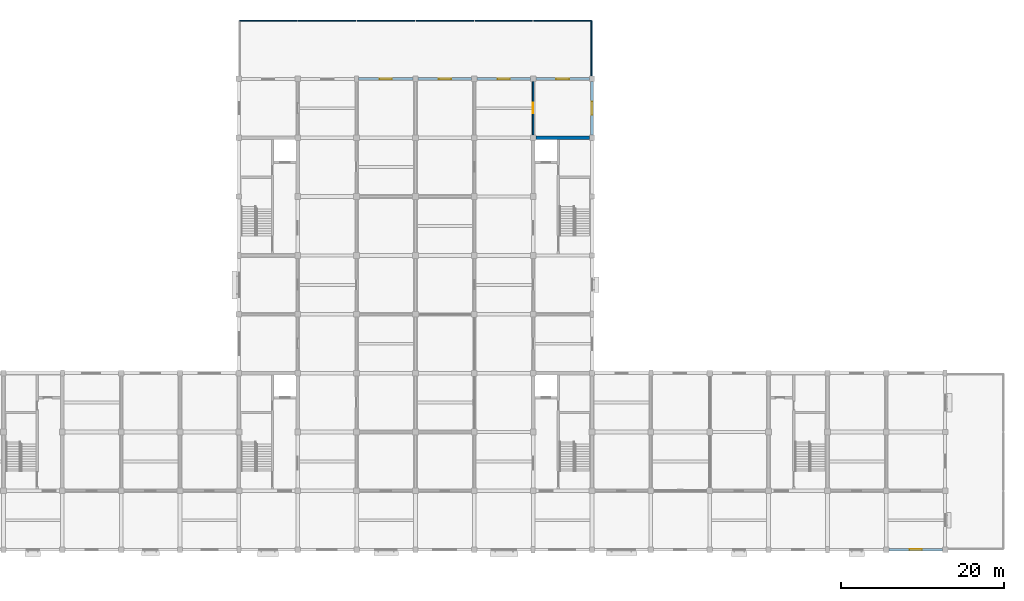
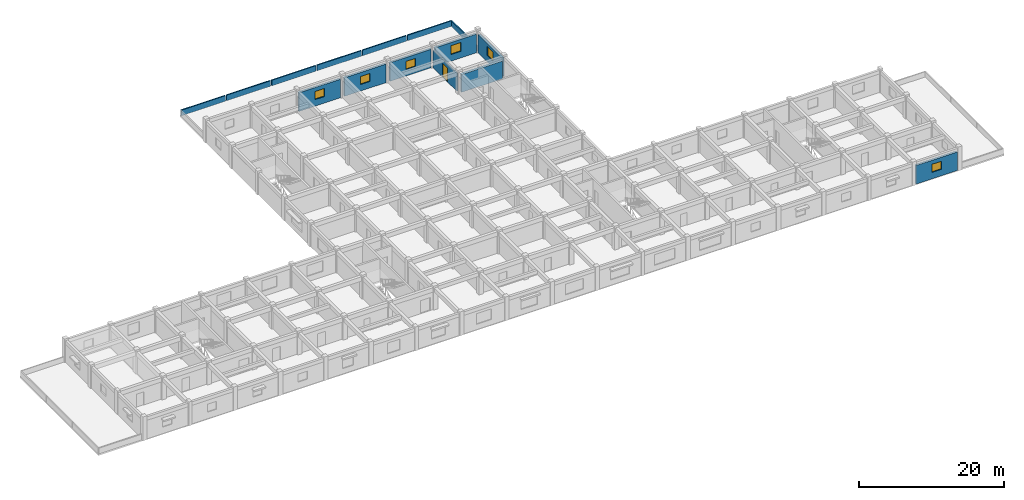
# One storey, part 9 of 16: 15 walls, 6 windows, 1 door, 7 openings.
"""IFC4 building model written with IfcOpenShell, lengths in metres."""

from ifc_helpers import new_model, si_unit, direction, frame, frame_2d, origin, place, context, subcontext, project, spatial, rectangle, extrude, material, layer, layer_set, type_object, element, fill, save


model = new_model("IFC4")

# Units and contexts
model_context = context("Model", 3, precision=1e-05, world=origin(), true_north=direction((0.0, 1.0)))
body_context = subcontext(model_context, "Body", "Model", "MODEL_VIEW")
ifc_project = project(units=[si_unit("LENGTHUNIT", "METRE"), si_unit("AREAUNIT", "SQUARE_METRE"), si_unit("VOLUMEUNIT", "CUBIC_METRE"), si_unit("PLANEANGLEUNIT", "RADIAN"), si_unit("MASSUNIT", "GRAM", prefix="KILO")], contexts=[model_context])

# Site, building, storey
site_placement = place(None, origin())
site = spatial("IfcSite", under=ifc_project, at=site_placement, CompositionType="ELEMENT")
building_placement = place(site_placement, origin())
building = spatial("IfcBuilding", under=site, at=building_placement, Name="Cendaluz Park School", CompositionType="ELEMENT")
storey_placement = place(building_placement, frame((0.0, 0.0, 22.60009765625)))
storey = spatial("IfcBuildingStorey", under=building, at=storey_placement, Name="L05", CompositionType="ELEMENT", Elevation=22.60009765625)

# Wall, opening, door
ifc_material_1 = material(Name="Gypsum Plasterboard on Cold-Formed Stud", Category="gypsum")
ifc_layer_1 = layer(ifc_material_1, 0.199951171875)
ifc_layer_set_1 = layer_set([ifc_layer_1], Name="Gypsum Plasterboard on Cold-Formed Stud")
wall_type_1 = type_object("IfcWallType", Name="W-AC20", PredefinedType="PARTITIONING", material=ifc_layer_set_1)
wall_1_placement = place(storey_placement, frame((100.800048828125, 57.949951171875, 0.0), z_axis=(0.0, 0.0, 1.0), x_axis=(0.0, 1.0, 0.0)))
wall_1 = element("IfcWall", 1, at=wall_1_placement, inside=storey, type_object=wall_type_1, Name="WL-FF-BV6", PredefinedType="PARTITIONING", context=body_context, shape_type="SweptSolid", body=[
    extrude(rectangle(XDim=6.525146484375, YDim=0.199951171875, at=frame_2d((3.2626953125, 0.0))), origin(), (0.0, 0.0, 1.0), 2.97998046875),
])
opening_1_placement = place(wall_1_placement, frame((2.62255859375, 0.0, 0.0)))
opening_1 = element("IfcOpeningElement", 2, at=opening_1_placement, cuts=wall_1, Name="Opening DCL-10", PredefinedType="OPENING", context=body_context, shape_type="SweptSolid", body=[
    extrude(rectangle(XDim=1.280029296875, YDim=2.280029296875, at=frame_2d((0.64013671875, 1.14013671875))), frame((0.0, 0.112060546875, 0.0), z_axis=(0.0, -1.0, 0.0), x_axis=(1.0, 0.0, 0.0)), (0.0, 0.0, 1.0), 0.223876953125),
])
ifc_material_2 = material(Name="Solid Core Hardwood", Category="wood")
door_type = type_object("IfcDoorType", Name="DCL-10", OperationType="NOTDEFINED", PredefinedType="DOOR", material=ifc_material_2)
door_placement = place(opening_1_placement, frame((1.280029296875, 0.0, 0.0), z_axis=(0.0, 0.0, 1.0), x_axis=(-1.0, 0.0, 0.0)))
door = element("IfcDoor", 3, at=door_placement, inside=storey, type_object=door_type, Name="D-L05-050", OperationType="SINGLE_SWING_RIGHT", OverallHeight=2.280029296875, OverallWidth=1.280029296875, PredefinedType="DOOR", context=body_context, shape_type="SweptSolid", body=[
    extrude(rectangle(XDim=1.280029296875, YDim=2.280029296875, at=frame_2d((0.64013671875, 1.14013671875))), frame((0.0, 0.02490234375, 0.0), z_axis=(0.0, -1.0, 0.0), x_axis=(1.0, 0.0, 0.0)), (0.0, 0.0, 1.0), 0.050048828125),
])
fill(opening_1, door)

# Wall, opening, window
ifc_material_3 = material(Name="Concrete C40/50 precast", Category="concrete")
ifc_layer_2 = layer(ifc_material_3, 0.340087890625)
ifc_layer_set_2 = layer_set([ifc_layer_2], Name="Concrete C40/50 precast")
wall_type_2 = type_object("IfcWallType", Name="W-EX34", PredefinedType="SOLIDWALL", material=ifc_layer_set_2)
wall_2_placement = place(storey_placement, frame((79.449951171875, 64.800048828125, 0.0), z_axis=(0.0, 0.0, 1.0), x_axis=(1.0, 0.0, 0.0)))
wall_2 = element("IfcWall", 4, at=wall_2_placement, inside=storey, type_object=wall_type_2, Name="WL-FF-AC2", PredefinedType="SOLIDWALL", context=body_context, shape_type="SweptSolid", body=[
    extrude(rectangle(XDim=6.625, YDim=0.340087890625, at=frame_2d((3.3125, 0.0))), origin(), (0.0, 0.0, 1.0), 3.119873046875),
])
opening_2_placement = place(wall_2_placement, frame((2.5625, 0.0, 1.10009765625)))
opening_2 = element("IfcOpeningElement", 5, at=opening_2_placement, cuts=wall_2, Name="Opening WN-20", PredefinedType="OPENING", context=body_context, shape_type="SweptSolid", body=[
    extrude(rectangle(XDim=1.5, YDim=1.35009765625, at=frame_2d((0.75, 0.675048828125))), frame((0.0, 0.18212890625, 0.0), z_axis=(0.0, -1.0, 0.0), x_axis=(1.0, 0.0, 0.0)), (0.0, 0.0, 1.0), 0.364013671875),
])
ifc_material_4 = material(Name="Tempered Low-E Double Glazing", Category="glass")
window_type_1 = type_object("IfcWindowType", Name="WN-20", PartitioningType="SINGLE_PANEL", PredefinedType="WINDOW", material=ifc_material_4)
window_1_placement = place(opening_2_placement, origin())
window_1 = element("IfcWindow", 6, at=window_1_placement, inside=storey, type_object=window_type_1, Name="WN-L05-023", OverallHeight=1.35009765625, OverallWidth=1.5, PartitioningType="SINGLE_PANEL", PredefinedType="WINDOW", context=body_context, shape_type="SweptSolid", body=[
    extrude(rectangle(XDim=1.5, YDim=1.35009765625, at=frame_2d((0.75, 0.675048828125))), frame((0.0, 0.030029296875, 0.0), z_axis=(0.0, -1.0, 0.0), x_axis=(1.0, 0.0, 0.0)), (0.0, 0.0, 1.0), 0.06005859375),
])
fill(opening_2, window_1)

wall_3_placement = place(storey_placement, frame((86.72509765625, 64.800048828125, 0.0), z_axis=(0.0, 0.0, 1.0), x_axis=(1.0, 0.0, 0.0)))
wall_3 = element("IfcWall", 7, at=wall_3_placement, inside=storey, type_object=wall_type_2, Name="WL-FF-AC4", PredefinedType="SOLIDWALL", context=body_context, shape_type="SweptSolid", body=[
    extrude(rectangle(XDim=6.5498046875, YDim=0.340087890625, at=frame_2d((3.27490234375, 0.0))), origin(), (0.0, 0.0, 1.0), 3.119873046875),
])
opening_3_placement = place(wall_3_placement, frame((2.52490234375, 0.0, 1.10009765625)))
opening_3 = element("IfcOpeningElement", 8, at=opening_3_placement, cuts=wall_3, Name="Opening WN-20", PredefinedType="OPENING", context=body_context, shape_type="SweptSolid", body=[
    extrude(rectangle(XDim=1.5, YDim=1.35009765625, at=frame_2d((0.75, 0.675048828125))), frame((0.0, 0.18212890625, 0.0), z_axis=(0.0, -1.0, 0.0), x_axis=(1.0, 0.0, 0.0)), (0.0, 0.0, 1.0), 0.364013671875),
])
window_2_placement = place(opening_3_placement, origin())
window_2 = element("IfcWindow", 9, at=window_2_placement, inside=storey, type_object=window_type_1, Name="WN-L05-025", OverallHeight=1.35009765625, OverallWidth=1.5, PartitioningType="SINGLE_PANEL", PredefinedType="WINDOW", context=body_context, shape_type="SweptSolid", body=[
    extrude(rectangle(XDim=1.5, YDim=1.35009765625, at=frame_2d((0.75, 0.675048828125))), frame((0.0, 0.030029296875, 0.0), z_axis=(0.0, -1.0, 0.0), x_axis=(1.0, 0.0, 0.0)), (0.0, 0.0, 1.0), 0.06005859375),
])
fill(opening_3, window_2)

wall_4_placement = place(storey_placement, frame((93.925048828125, 64.800048828125, 0.0), z_axis=(0.0, 0.0, 1.0), x_axis=(1.0, 0.0, 0.0)))
wall_4 = element("IfcWall", 10, at=wall_4_placement, inside=storey, type_object=wall_type_2, Name="WL-FF-AC6", PredefinedType="SOLIDWALL", context=body_context, shape_type="SweptSolid", body=[
    extrude(rectangle(XDim=6.550048828125, YDim=0.340087890625, at=frame_2d((3.27490234375, 0.0))), origin(), (0.0, 0.0, 1.0), 3.119873046875),
])
opening_4_placement = place(wall_4_placement, frame((2.52490234375, 0.0, 1.10009765625)))
opening_4 = element("IfcOpeningElement", 11, at=opening_4_placement, cuts=wall_4, Name="Opening WN-20", PredefinedType="OPENING", context=body_context, shape_type="SweptSolid", body=[
    extrude(rectangle(XDim=1.5, YDim=1.35009765625, at=frame_2d((0.75, 0.675048828125))), frame((0.0, 0.18212890625, 0.0), z_axis=(0.0, -1.0, 0.0), x_axis=(1.0, 0.0, 0.0)), (0.0, 0.0, 1.0), 0.364013671875),
])
window_3_placement = place(opening_4_placement, origin())
window_3 = element("IfcWindow", 12, at=window_3_placement, inside=storey, type_object=window_type_1, Name="WN-L05-027", OverallHeight=1.35009765625, OverallWidth=1.5, PartitioningType="SINGLE_PANEL", PredefinedType="WINDOW", context=body_context, shape_type="SweptSolid", body=[
    extrude(rectangle(XDim=1.5, YDim=1.35009765625, at=frame_2d((0.75, 0.675048828125))), frame((0.0, 0.030029296875, 0.0), z_axis=(0.0, -1.0, 0.0), x_axis=(1.0, 0.0, 0.0)), (0.0, 0.0, 1.0), 0.06005859375),
])
fill(opening_4, window_3)

wall_5_placement = place(storey_placement, frame((101.125, 64.800048828125, 0.0), z_axis=(0.0, 0.0, 1.0), x_axis=(1.0, 0.0, 0.0)))
wall_5 = element("IfcWall", 13, at=wall_5_placement, inside=storey, type_object=wall_type_2, Name="WL-FF-AD0", PredefinedType="SOLIDWALL", context=body_context, shape_type="SweptSolid", body=[
    extrude(rectangle(XDim=6.550048828125, YDim=0.340087890625, at=frame_2d((3.27490234375, 0.0))), origin(), (0.0, 0.0, 1.0), 3.119873046875),
])
opening_5_placement = place(wall_5_placement, frame((2.47509765625, 0.0, 1.10009765625)))
opening_5 = element("IfcOpeningElement", 14, at=opening_5_placement, cuts=wall_5, Name="Opening WN-16", PredefinedType="OPENING", context=body_context, shape_type="SweptSolid", body=[
    extrude(rectangle(XDim=1.60009765625, YDim=1.5, at=frame_2d((0.800048828125, 0.75))), frame((0.0, 0.18212890625, 0.0), z_axis=(0.0, -1.0, 0.0), x_axis=(1.0, 0.0, 0.0)), (0.0, 0.0, 1.0), 0.364013671875),
])
window_type_2 = type_object("IfcWindowType", Name="WN-16", PartitioningType="SINGLE_PANEL", PredefinedType="WINDOW", material=ifc_material_4)
window_4_placement = place(opening_5_placement, origin())
window_4 = element("IfcWindow", 15, at=window_4_placement, inside=storey, type_object=window_type_2, Name="WN-L05-031", OverallHeight=1.5, OverallWidth=1.60009765625, PartitioningType="SINGLE_PANEL", PredefinedType="WINDOW", context=body_context, shape_type="SweptSolid", body=[
    extrude(rectangle(XDim=1.60009765625, YDim=1.5, at=frame_2d((0.800048828125, 0.75))), frame((0.0, 0.030029296875, 0.0), z_axis=(0.0, -1.0, 0.0), x_axis=(1.0, 0.0, 0.0)), (0.0, 0.0, 1.0), 0.06005859375),
])
fill(opening_5, window_4)

wall_6_placement = place(storey_placement, frame((108.0, 57.925048828125, 0.0), z_axis=(0.0, 0.0, 1.0), x_axis=(0.0, 1.0, 0.0)))
wall_6 = element("IfcWall", 16, at=wall_6_placement, inside=storey, type_object=wall_type_2, Name="WL-FF-AD1", PredefinedType="SOLIDWALL", context=body_context, shape_type="SweptSolid", body=[
    extrude(rectangle(XDim=6.550048828125, YDim=0.340087890625, at=frame_2d((3.27490234375, 0.0))), origin(), (0.0, 0.0, 1.0), 3.119873046875),
])
opening_6_placement = place(wall_6_placement, frame((2.47509765625, 0.0, 1.10009765625)))
opening_6 = element("IfcOpeningElement", 17, at=opening_6_placement, cuts=wall_6, Name="Opening WN-16", PredefinedType="OPENING", context=body_context, shape_type="SweptSolid", body=[
    extrude(rectangle(XDim=1.60009765625, YDim=1.5, at=frame_2d((0.800048828125, 0.75))), frame((0.0, 0.18212890625, 0.0), z_axis=(0.0, -1.0, 0.0), x_axis=(1.0, 0.0, 0.0)), (0.0, 0.0, 1.0), 0.364013671875),
])
window_5_placement = place(opening_6_placement, origin())
window_5 = element("IfcWindow", 18, at=window_5_placement, inside=storey, type_object=window_type_2, Name="WN-L05-032", OverallHeight=1.5, OverallWidth=1.60009765625, PartitioningType="SINGLE_PANEL", PredefinedType="WINDOW", context=body_context, shape_type="SweptSolid", body=[
    extrude(rectangle(XDim=1.60009765625, YDim=1.5, at=frame_2d((0.800048828125, 0.75))), frame((0.0, 0.030029296875, 0.0), z_axis=(0.0, -1.0, 0.0), x_axis=(1.0, 0.0, 0.0)), (0.0, 0.0, 1.0), 0.06005859375),
])
fill(opening_6, window_5)

wall_7_placement = place(storey_placement, frame((144.324951171875, 7.199951171875, 0.0), z_axis=(0.0, 0.0, 1.0), x_axis=(1.0, 0.0, 0.0)))
wall_7 = element("IfcWall", 19, at=wall_7_placement, inside=storey, type_object=wall_type_2, Name="WL-FF-AE1", PredefinedType="SOLIDWALL", context=body_context, shape_type="SweptSolid", body=[
    extrude(rectangle(XDim=6.550048828125, YDim=0.340087890625, at=frame_2d((3.27490234375, 0.0))), origin(), (0.0, 0.0, 1.0), 3.119873046875),
])
opening_7_placement = place(wall_7_placement, frame((2.52490234375, 0.0, 1.10009765625)))
opening_7 = element("IfcOpeningElement", 20, at=opening_7_placement, cuts=wall_7, Name="Opening WN-20", PredefinedType="OPENING", context=body_context, shape_type="SweptSolid", body=[
    extrude(rectangle(XDim=1.5, YDim=1.35009765625, at=frame_2d((0.75, 0.675048828125))), frame((0.0, 0.18212890625, 0.0), z_axis=(0.0, -1.0, 0.0), x_axis=(1.0, 0.0, 0.0)), (0.0, 0.0, 1.0), 0.364013671875),
])
window_6_placement = place(opening_7_placement, origin())
window_6 = element("IfcWindow", 21, at=window_6_placement, inside=storey, type_object=window_type_1, Name="WN-L05-042", OverallHeight=1.35009765625, OverallWidth=1.5, PartitioningType="SINGLE_PANEL", PredefinedType="WINDOW", context=body_context, shape_type="SweptSolid", body=[
    extrude(rectangle(XDim=1.5, YDim=1.35009765625, at=frame_2d((0.75, 0.675048828125))), frame((0.0, 0.030029296875, 0.0), z_axis=(0.0, -1.0, 0.0), x_axis=(1.0, 0.0, 0.0)), (0.0, 0.0, 1.0), 0.06005859375),
])
fill(opening_7, window_6)

# Walls
ifc_layer_3 = layer(ifc_material_3, 0.179931640625)
ifc_layer_set_3 = layer_set([ifc_layer_3], Name="Concrete C40/50 precast")
wall_type_3 = type_object("IfcWallType", Name="W-PR18", PredefinedType="PARAPET", material=ifc_layer_set_3)
for number, where, z_axis, x_axis, name in (
    (22, (64.889892578125, 71.909912109375, 0.0), (0.0, 0.0, 1.0), (1.0, 0.0, 0.0), "WL-FF-AF1"),
    (23, (72.090087890625, 71.909912109375, 0.0), (0.0, 0.0, 1.0), (1.0, 0.0, 0.0), "WL-FF-AF3"),
    (24, (79.2900390625, 71.909912109375, 0.0), (0.0, 0.0, 1.0), (1.0, 0.0, 0.0), "WL-FF-AF4"),
    (25, (86.489990234375, 71.909912109375, 0.0), (0.0, 0.0, 1.0), (1.0, 0.0, 0.0), "WL-FF-AF5"),
    (26, (93.68994140625, 71.909912109375, 0.0), (0.0, 0.0, 1.0), (1.0, 0.0, 0.0), "WL-FF-AF6"),
    (27, (100.889892578125, 71.909912109375, 0.0), (0.0, 0.0, 1.0), (1.0, 0.0, 0.0), "WL-FF-AF7"),
    (28, (107.909912109375, 64.889892578125, 0.0), (0.0, 0.0, 1.0), (0.0, 1.0, 0.0), "WL-FF-AF8"),
):
    element("IfcWall", number, at=place(storey_placement, frame(where, z_axis=z_axis, x_axis=x_axis)), inside=storey, type_object=wall_type_3, Name=name, PredefinedType="PARAPET", context=body_context, shape_type="SweptSolid", body=[
        extrude(rectangle(XDim=7.02001953125, YDim=0.179931640625, at=frame_2d((3.510009765625, 0.0))), origin(), (0.0, 0.0, 1.0), 0.949951171875),
    ])
ifc_material_5 = material(Name="Concrete C40/50", Category="concrete")
ifc_layer_4 = layer(ifc_material_5, 0.39990234375)
ifc_layer_set_4 = layer_set([ifc_layer_4], Name="Concrete C40/50")
wall_type_4 = type_object("IfcWallType", Name="W-SH40", PredefinedType="SHEAR", material=ifc_layer_set_4)
wall_8_placement = place(storey_placement, frame((101.14990234375, 57.60009765625, 0.0), z_axis=(0.0, 0.0, 1.0), x_axis=(1.0, 0.0, 0.0)))
element("IfcWall", 29, at=wall_8_placement, inside=storey, type_object=wall_type_4, Name="WL-FF-BN6", PredefinedType="SHEAR", context=body_context, shape_type="SweptSolid", body=[
    extrude(rectangle(XDim=6.525146484375, YDim=0.39990234375, at=frame_2d((3.2626953125, 0.0))), origin(), (0.0, 0.0, 1.0), 2.97998046875),
])

save(model, "model.ifc")
